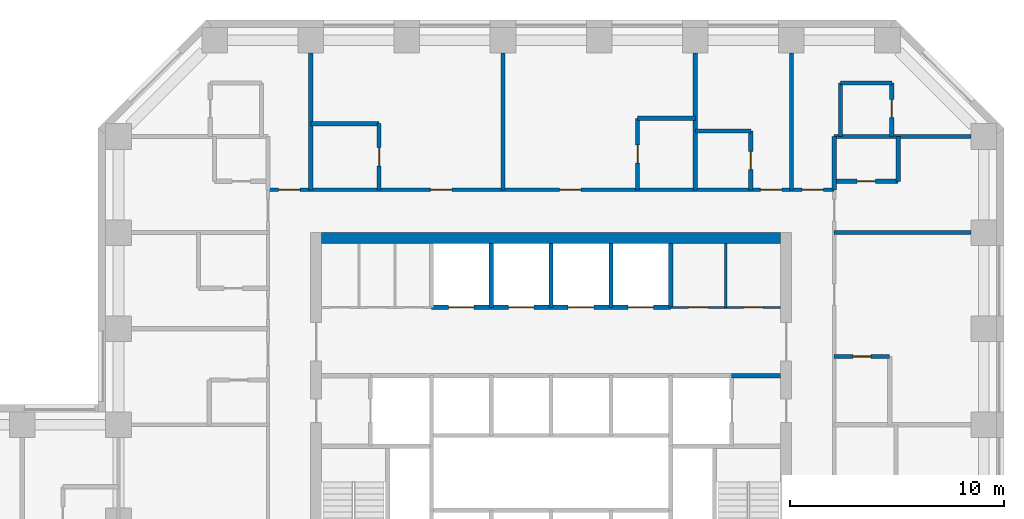
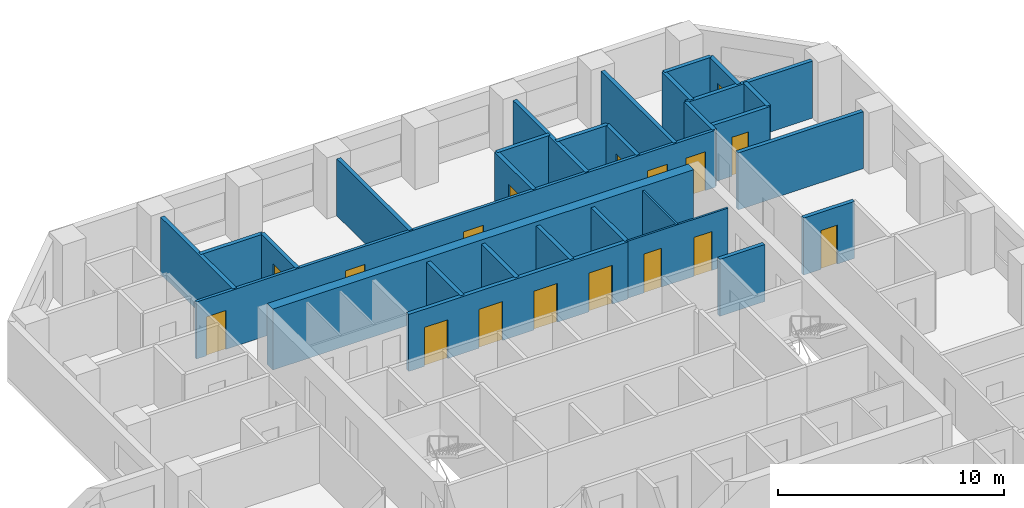
# One storey, part 9 of 12: 29 walls, 17 doors, 17 openings.
"""IFC4 building model written with IfcOpenShell, lengths in metres."""

import ifcopenshell
import ifcopenshell.guid

model = None  # the IFC model being written
_history = None  # IfcOwnerHistory: only IFC2X3 demands one
_inside = {}  # id of a spatial element -> (the spatial element, [elements in it])
_under = {}  # id of a project, library or spatial element -> (it, [spatial elements below it])
_declared = {}  # id of a project -> (the project, [libraries it declares])
_typed = {}  # id of a type object -> (the type object, [elements of that type])
_made_of = {}  # id of a material, layer set ... -> (it, [elements and type objects made of it])


def new_model(schema):
    """Start an empty IFC model of exactly this schema.

    Asked for "IFC4X3", IfcOpenShell would pick the latest addendum, in which some entities
    have other attributes; the version numbers below select the first issue.
    IFC2X3 requires an IfcOwnerHistory on every rooted entity: one is made here for all.
    """
    global model, _history
    if schema == "IFC4X3":
        model = ifcopenshell.file(schema_version=(4, 3, 0, 0))
    else:
        model = ifcopenshell.file(schema=schema)
    _inside.clear()
    _under.clear()
    _declared.clear()
    _typed.clear()
    _made_of.clear()
    _history = None
    if model.schema == "IFC2X3":
        org = make("IfcOrganization", Name="unknown")
        user = make(
            "IfcPersonAndOrganization",
            ThePerson=make("IfcPerson", FamilyName="unknown"),
            TheOrganization=org,
        )
        app = make(
            "IfcApplication",
            ApplicationDeveloper=org,
            Version="unknown",
            ApplicationFullName="unknown",
            ApplicationIdentifier="unknown",
        )
        _history = make(
            "IfcOwnerHistory",
            OwningUser=user,
            OwningApplication=app,
            ChangeAction="ADDED",
            CreationDate=0,
        )
    return model


def make(cls, **values):
    """One entity of the class cls with the attributes given. An attribute that is None is left unset."""
    return model.create_entity(
        cls, **{name: value for name, value in values.items() if value is not None}
    )


def rooted(cls, **values):
    """An entity with a GlobalId (a new one), such as an element, a storey or a relation."""
    return make(cls, GlobalId=ifcopenshell.guid.new(), OwnerHistory=_history, **values)


def si_unit(unit_type, name, prefix=None):
    """IfcSIUnit, for example si_unit("LENGTHUNIT", "METRE", prefix="MILLI")."""
    return make("IfcSIUnit", UnitType=unit_type, Prefix=prefix, Name=name)


def assignment(units):
    """IfcUnitAssignment: the units of a project."""
    return None if units is None else make("IfcUnitAssignment", Units=units)


def point(xyz):
    """IfcCartesianPoint."""
    return None if xyz is None else make("IfcCartesianPoint", Coordinates=xyz)


def direction(xyz):
    """IfcDirection."""
    return None if xyz is None else make("IfcDirection", DirectionRatios=xyz)


def frame(location, z_axis=None, x_axis=None):
    """IfcAxis2Placement3D, a coordinate frame: its origin and axes. An axis left out is left unset."""
    return make(
        "IfcAxis2Placement3D",
        Location=point(location),
        Axis=direction(z_axis),
        RefDirection=direction(x_axis),
    )


def frame_2d(location, x_axis=None):
    """IfcAxis2Placement2D, a coordinate frame in the plane: its origin and x axis."""
    return make(
        "IfcAxis2Placement2D", Location=point(location), RefDirection=direction(x_axis)
    )


def origin():
    """The frame at (0, 0, 0) with its axes left unset."""
    return frame((0.0, 0.0, 0.0))


def place(relative_to, where):
    """IfcLocalPlacement: puts the frame where relative to a parent placement (None: the world)."""
    return make(
        "IfcLocalPlacement", PlacementRelTo=relative_to, RelativePlacement=where
    )


def context(
    kind, dimensions, precision=None, world=None, true_north=None, identifier=None
):
    """IfcGeometricRepresentationContext, for example the 3D "Model" context."""
    return make(
        "IfcGeometricRepresentationContext",
        ContextIdentifier=identifier,
        ContextType=kind,
        CoordinateSpaceDimension=dimensions,
        Precision=precision,
        WorldCoordinateSystem=world,
        TrueNorth=true_north,
    )


def subcontext(parent, identifier, kind, view, scale=None):
    """IfcGeometricRepresentationSubContext, for example "Body" below "Model"."""
    return make(
        "IfcGeometricRepresentationSubContext",
        ContextIdentifier=identifier,
        ContextType=kind,
        ParentContext=parent,
        TargetScale=scale,
        TargetView=view,
    )


def project(units=None, contexts=None):
    """IfcProject with its units and contexts."""
    return rooted(
        "IfcProject",
        Name="project",
        RepresentationContexts=contexts,
        UnitsInContext=assignment(units),
    )


def spatial(cls, under=None, at=None, **own):
    """A site, building, storey or space (cls), placed at a placement, below another one or the project."""
    s = rooted(cls, ObjectPlacement=at, **own)
    if under is not None:
        _under.setdefault(under.id(), (under, []))[1].append(s)
    return s


def profile(cls, at=None, kind="AREA", **sizes):
    """A parametric profile (cls). Its sizes go by their IFC names, for example OverallWidth=200.0."""
    return make(cls, ProfileType=kind, Position=at, **sizes)


def rectangle(**sizes):
    """IfcRectangleProfileDef."""
    return profile("IfcRectangleProfileDef", **sizes)


def extrude(swept, where, along, depth):
    """IfcExtrudedAreaSolid: the profile swept, set in the frame where, extruded along a direction by depth."""
    return make(
        "IfcExtrudedAreaSolid",
        SweptArea=swept,
        Position=where,
        ExtrudedDirection=direction(along),
        Depth=depth,
    )


def shape(context_of_items, identifier, shape_type, items):
    """IfcShapeRepresentation: the items that make up one representation, for example the "Body"."""
    return make(
        "IfcShapeRepresentation",
        ContextOfItems=context_of_items,
        RepresentationIdentifier=identifier,
        RepresentationType=shape_type,
        Items=items,
    )


def material(Name=None, Category=None):
    """IfcMaterial."""
    return make("IfcMaterial", Name=Name, Category=Category)


def layer(
    of_material, thickness, ventilated=None, Name=None, Category=None, Priority=None
):
    """IfcMaterialLayer: one layer of a wall or slab, of a material (None: an air gap)."""
    return make(
        "IfcMaterialLayer",
        Material=of_material,
        LayerThickness=thickness,
        IsVentilated=ventilated,
        Name=Name,
        Category=Category,
        Priority=Priority,
    )


def layer_set(layers, Name=None):
    """IfcMaterialLayerSet."""
    return make("IfcMaterialLayerSet", MaterialLayers=layers, LayerSetName=Name)


def made_of(thing, what):
    """Note that an element or type object is made of a material, layer set ...; save() writes the relation."""
    if what is not None:
        _made_of.setdefault(what.id(), (what, []))[1].append(thing)
    return thing


def type_object(cls, material=None, **own):
    """A type object (cls), such as IfcWallType, which elements share."""
    return made_of(rooted(cls, **own), material)


def element(
    cls,
    number,
    at=None,
    inside=None,
    cuts=None,
    type_object=None,
    material=None,
    context=None,
    identifier="Body",
    shape_type=None,
    held_by="IfcProductDefinitionShape",
    body=None,
    shapes=None,
    **own,
):
    """One element of the class cls, such as IfcWall. Its Tag is "e" and its number.

    at: its placement. inside: the storey or other place that contains it. cuts: it is an
    opening in that element (IfcRelVoidsElement). A single representation is given by context,
    identifier, shape_type and body (its items); several are given by shapes. held_by: the class
    of the entity that holds the representations. save() writes the other relations.
    """
    e = rooted(cls, Tag="e%d" % number, ObjectPlacement=at, **own)
    if body is not None:
        shapes = [shape(context, identifier, shape_type, body)]
    if shapes is not None:
        e.Representation = make(held_by, Representations=shapes)
    if inside is not None:
        _inside.setdefault(inside.id(), (inside, []))[1].append(e)
    if cuts is not None:
        rooted(
            "IfcRelVoidsElement", RelatingBuildingElement=cuts, RelatedOpeningElement=e
        )
    if type_object is not None:
        _typed.setdefault(type_object.id(), (type_object, []))[1].append(e)
    return made_of(e, material)


def fill(opening, filler):
    """IfcRelFillsElement: the door or window that sits in an opening."""
    return rooted(
        "IfcRelFillsElement",
        RelatingOpeningElement=opening,
        RelatedBuildingElement=filler,
    )


def aggregate(whole, parts):
    """IfcRelAggregates: a whole, such as a stair, and the parts it consists of."""
    return rooted("IfcRelAggregates", RelatingObject=whole, RelatedObjects=parts)


def save(model, path):
    """Write the relations noted so far, then the file.

    IfcRelAggregates (storeys below a building ...), IfcRelContainedInSpatialStructure (elements
    in a storey), IfcRelDefinesByType, IfcRelAssociatesMaterial and IfcRelDeclares: one each for
    every whole, place, type object, material and project.
    """
    for whole, parts in _under.values():
        aggregate(whole, parts)
    for where, things in _inside.values():
        rooted(
            "IfcRelContainedInSpatialStructure",
            RelatedElements=things,
            RelatingStructure=where,
        )
    for kind, things in _typed.values():
        rooted("IfcRelDefinesByType", RelatedObjects=things, RelatingType=kind)
    for what, things in _made_of.values():
        rooted("IfcRelAssociatesMaterial", RelatedObjects=things, RelatingMaterial=what)
    for by, libraries in _declared.values():
        rooted("IfcRelDeclares", RelatingContext=by, RelatedDefinitions=libraries)
    model.write(path)


model = new_model("IFC4")

# Units and contexts
model_context = context("Model", 3, precision=1e-05, world=origin(), true_north=direction((0.0, 1.0)))
body_context = subcontext(model_context, "Body", "Model", "MODEL_VIEW")
ifc_project = project(units=[si_unit("LENGTHUNIT", "METRE"), si_unit("AREAUNIT", "SQUARE_METRE"), si_unit("VOLUMEUNIT", "CUBIC_METRE"), si_unit("PLANEANGLEUNIT", "RADIAN"), si_unit("MASSUNIT", "GRAM", prefix="KILO")], contexts=[model_context])

# Site, building, storey
site_placement = place(None, origin())
site = spatial("IfcSite", under=ifc_project, at=site_placement, CompositionType="ELEMENT")
building_placement = place(site_placement, origin())
building = spatial("IfcBuilding", under=site, at=building_placement, Name="Quoin Convention Tower", CompositionType="ELEMENT")
storey_placement = place(building_placement, frame((0.0, 0.0, 42.89990234375)))
storey = spatial("IfcBuildingStorey", under=building, at=storey_placement, Name="L10", CompositionType="ELEMENT", Elevation=42.89990234375)

# Wall, openings, doors
ifc_material_1 = material(Name="Plasterboard")
ifc_layer_1 = layer(ifc_material_1, 0.012451171875, Name="Finish")
ifc_material_2 = material(Name="Steel stud framing", Category="steel")
ifc_layer_2 = layer(ifc_material_2, 0.074951171875, Name="Structure")
ifc_layer_3 = layer(ifc_material_1, 0.012451171875, Name="Finish")
ifc_layer_set_1 = layer_set([ifc_layer_1, ifc_layer_2, ifc_layer_3], Name="Steel stud framing")
wall_type_1 = type_object("IfcWallType", Name="Core partition wall", PredefinedType="PARTITIONING", material=ifc_layer_set_1)
wall_1_placement = place(storey_placement, frame((61.85009765625, 68.5, 0.0), z_axis=(0.0, 0.0, 1.0), x_axis=(1.0, 0.0, 0.0)))
wall_1 = element("IfcWall", 1, at=wall_1_placement, inside=storey, type_object=wall_type_1, Name="cr-C1-L10-h19000_16850", PredefinedType="PARTITIONING", context=body_context, shape_type="SweptSolid", body=[
    extrude(rectangle(XDim=5.14990234375, YDim=0.10009765625, at=frame_2d((2.574951171875, 0.0))), origin(), (0.0, 0.0, 1.0), 3.080078125),
])
opening_1_placement = place(wall_1_placement, frame((3.41259765625, 0.0, 0.0)))
opening_1 = element("IfcOpeningElement", 2, at=opening_1_placement, cuts=wall_1, Name="Opening DCV4-03", PredefinedType="OPENING", context=body_context, shape_type="SweptSolid", body=[
    extrude(rectangle(XDim=0.89990234375, YDim=2.10009765625, at=frame_2d((0.449951171875, 1.050048828125))), frame((0.0, 0.06005859375, 0.0), z_axis=(0.0, -1.0, 0.0), x_axis=(1.0, 0.0, 0.0)), (0.0, 0.0, 1.0), 0.1201171875),
])
opening_2_placement = place(wall_1_placement, frame((0.83740234375, 0.0, 0.0)))
opening_2 = element("IfcOpeningElement", 3, at=opening_2_placement, cuts=wall_1, Name="Opening DCV4-01", PredefinedType="OPENING", context=body_context, shape_type="SweptSolid", body=[
    extrude(rectangle(XDim=0.89990234375, YDim=2.10009765625, at=frame_2d((0.449951171875, 1.050048828125))), frame((0.0, 0.06005859375, 0.0), z_axis=(0.0, -1.0, 0.0), x_axis=(1.0, 0.0, 0.0)), (0.0, 0.0, 1.0), 0.1201171875),
])
ifc_material_3 = material(Name="Steel door leaf", Category="steel")
door_type_1 = type_object("IfcDoorType", Name="Core room door 900 x 2100", OperationType="SINGLE_SWING_LEFT", PredefinedType="DOOR", material=ifc_material_3)
door_1_placement = place(opening_1_placement, origin())
door_1 = element("IfcDoor", 4, at=door_1_placement, inside=storey, type_object=door_type_1, Name="cd-C1-L10-CNE0-lobB-CD1007", OperationType="SINGLE_SWING_RIGHT", OverallHeight=2.10009765625, OverallWidth=0.89990234375, PredefinedType="DOOR", context=body_context, shape_type="SweptSolid", body=[
    extrude(rectangle(XDim=0.89990234375, YDim=2.10009765625, at=frame_2d((0.449951171875, 1.050048828125))), frame((0.0, 0.02490234375, 0.0), z_axis=(0.0, -1.0, 0.0), x_axis=(1.0, 0.0, 0.0)), (0.0, 0.0, 1.0), 0.050048828125),
])
fill(opening_1, door_1)
door_2_placement = place(opening_2_placement, origin())
door_2 = element("IfcDoor", 5, at=door_2_placement, inside=storey, type_object=door_type_1, Name="cd-C1-L10-CNE1-lobB-CD1008", OperationType="SINGLE_SWING_RIGHT", OverallHeight=2.10009765625, OverallWidth=0.89990234375, PredefinedType="DOOR", context=body_context, shape_type="SweptSolid", body=[
    extrude(rectangle(XDim=0.89990234375, YDim=2.10009765625, at=frame_2d((0.449951171875, 1.050048828125))), frame((0.0, 0.02490234375, 0.0), z_axis=(0.0, -1.0, 0.0), x_axis=(1.0, 0.0, 0.0)), (0.0, 0.0, 1.0), 0.050048828125),
])
fill(opening_2, door_2)

# Walls
wall_2_placement = place(storey_placement, frame((64.425048828125, 68.5, 0.0), z_axis=(0.0, 0.0, 1.0), x_axis=(0.0, 1.0, 0.0)))
element("IfcWall", 6, at=wall_2_placement, inside=storey, type_object=wall_type_1, Name="cr-C1-L10-v19425_19000", PredefinedType="PARTITIONING", context=body_context, shape_type="SweptSolid", body=[
    extrude(rectangle(XDim=3.0, YDim=0.10009765625, at=frame_2d((1.5, 0.0))), origin(), (0.0, 0.0, 1.0), 3.080078125),
])
ifc_material_4 = material(Name="Concrete C50", Category="concrete")
ifc_layer_4 = layer(ifc_material_4, 0.199951171875)
ifc_layer_set_2 = layer_set([ifc_layer_4], Name="Concrete C50")
wall_type_2 = type_object("IfcWallType", Name="Core shaft wall", PredefinedType="SOLIDWALL", material=ifc_layer_set_2)
wall_3_placement = place(storey_placement, frame((64.699951171875, 65.300048828125, 0.0), z_axis=(0.0, 0.0, 1.0), x_axis=(1.0, 0.0, 0.0)))
element("IfcWall", 7, at=wall_3_placement, inside=storey, type_object=wall_type_2, Name="cr-C1-L10-h15800_19700", PredefinedType="SOLIDWALL", context=body_context, shape_type="SweptSolid", body=[
    extrude(rectangle(XDim=2.300048828125, YDim=0.199951171875, at=frame_2d((1.14990234375, 0.0))), origin(), (0.0, 0.0, 1.0), 3.080078125),
])

# Wall, openings, doors
wall_4_placement = place(storey_placement, frame((50.64990234375, 68.5, 0.0), z_axis=(0.0, 0.0, 1.0), x_axis=(1.0, 0.0, 0.0)))
wall_4 = element("IfcWall", 8, at=wall_4_placement, inside=storey, type_object=wall_type_2, Name="cr-C1-L10-h19000_5650", PredefinedType="SOLIDWALL", context=body_context, shape_type="SweptSolid", body=[
    extrude(rectangle(XDim=11.2001953125, YDim=0.199951171875, at=frame_2d((5.60009765625, 0.0))), origin(), (0.0, 0.0, 1.0), 3.080078125),
])
opening_3_placement = place(wall_4_placement, frame((0.800048828125, 0.0, 0.0)))
opening_3 = element("IfcOpeningElement", 9, at=opening_3_placement, cuts=wall_4, Name="Opening LDL5", PredefinedType="OPENING", context=body_context, shape_type="SweptSolid", body=[
    extrude(rectangle(XDim=1.199951171875, YDim=2.10009765625, at=frame_2d((0.60009765625, 1.050048828125))), frame((0.0, 0.10986328125, 0.0), z_axis=(0.0, -1.0, 0.0), x_axis=(1.0, 0.0, 0.0)), (0.0, 0.0, 1.0), 0.219970703125),
])
opening_4_placement = place(wall_4_placement, frame((3.60009765625, 0.0, 0.0)))
opening_4 = element("IfcOpeningElement", 10, at=opening_4_placement, cuts=wall_4, Name="Opening LDL6", PredefinedType="OPENING", context=body_context, shape_type="SweptSolid", body=[
    extrude(rectangle(XDim=1.199951171875, YDim=2.10009765625, at=frame_2d((0.60009765625, 1.050048828125))), frame((0.0, 0.10986328125, 0.0), z_axis=(0.0, -1.0, 0.0), x_axis=(1.0, 0.0, 0.0)), (0.0, 0.0, 1.0), 0.219970703125),
])
opening_5_placement = place(wall_4_placement, frame((6.39990234375, 0.0, 0.0)))
opening_5 = element("IfcOpeningElement", 11, at=opening_5_placement, cuts=wall_4, Name="Opening LDL7", PredefinedType="OPENING", context=body_context, shape_type="SweptSolid", body=[
    extrude(rectangle(XDim=1.199951171875, YDim=2.10009765625, at=frame_2d((0.60009765625, 1.050048828125))), frame((0.0, 0.10986328125, 0.0), z_axis=(0.0, -1.0, 0.0), x_axis=(1.0, 0.0, 0.0)), (0.0, 0.0, 1.0), 0.219970703125),
])
opening_6_placement = place(wall_4_placement, frame((9.199951171875, 0.0, 0.0)))
opening_6 = element("IfcOpeningElement", 12, at=opening_6_placement, cuts=wall_4, Name="Opening LDL8", PredefinedType="OPENING", context=body_context, shape_type="SweptSolid", body=[
    extrude(rectangle(XDim=1.199951171875, YDim=2.10009765625, at=frame_2d((0.60009765625, 1.050048828125))), frame((0.0, 0.10986328125, 0.0), z_axis=(0.0, -1.0, 0.0), x_axis=(1.0, 0.0, 0.0)), (0.0, 0.0, 1.0), 0.219970703125),
])
door_type_2 = type_object("IfcDoorType", Name="Lift landing door 1200 x 2100", OperationType="DOUBLE_DOOR_SLIDING", PredefinedType="DOOR", material=ifc_material_3)
door_3_placement = place(opening_3_placement, origin())
door_3 = element("IfcDoor", 13, at=door_3_placement, inside=storey, type_object=door_type_2, Name="cd-C1-L10-R40-lobB-LDL5", OperationType="DOUBLE_DOOR_SLIDING", OverallHeight=2.10009765625, OverallWidth=1.199951171875, PredefinedType="DOOR", context=body_context, shape_type="SweptSolid", body=[
    extrude(rectangle(XDim=1.199951171875, YDim=2.10009765625, at=frame_2d((0.60009765625, 1.050048828125))), frame((0.0, 0.02490234375, 0.0), z_axis=(0.0, -1.0, 0.0), x_axis=(1.0, 0.0, 0.0)), (0.0, 0.0, 1.0), 0.050048828125),
])
fill(opening_3, door_3)
door_4_placement = place(opening_4_placement, origin())
door_4 = element("IfcDoor", 14, at=door_4_placement, inside=storey, type_object=door_type_2, Name="cd-C1-L10-R41-lobB-LDL6", OperationType="DOUBLE_DOOR_SLIDING", OverallHeight=2.10009765625, OverallWidth=1.199951171875, PredefinedType="DOOR", context=body_context, shape_type="SweptSolid", body=[
    extrude(rectangle(XDim=1.199951171875, YDim=2.10009765625, at=frame_2d((0.60009765625, 1.050048828125))), frame((0.0, 0.02490234375, 0.0), z_axis=(0.0, -1.0, 0.0), x_axis=(1.0, 0.0, 0.0)), (0.0, 0.0, 1.0), 0.050048828125),
])
fill(opening_4, door_4)
door_5_placement = place(opening_5_placement, origin())
door_5 = element("IfcDoor", 15, at=door_5_placement, inside=storey, type_object=door_type_2, Name="cd-C1-L10-R42-lobB-LDL7", OperationType="DOUBLE_DOOR_SLIDING", OverallHeight=2.10009765625, OverallWidth=1.199951171875, PredefinedType="DOOR", context=body_context, shape_type="SweptSolid", body=[
    extrude(rectangle(XDim=1.199951171875, YDim=2.10009765625, at=frame_2d((0.60009765625, 1.050048828125))), frame((0.0, 0.02490234375, 0.0), z_axis=(0.0, -1.0, 0.0), x_axis=(1.0, 0.0, 0.0)), (0.0, 0.0, 1.0), 0.050048828125),
])
fill(opening_5, door_5)
door_6_placement = place(opening_6_placement, origin())
door_6 = element("IfcDoor", 16, at=door_6_placement, inside=storey, type_object=door_type_2, Name="cd-C1-L10-R43-lobB-LDL8", OperationType="DOUBLE_DOOR_SLIDING", OverallHeight=2.10009765625, OverallWidth=1.199951171875, PredefinedType="DOOR", context=body_context, shape_type="SweptSolid", body=[
    extrude(rectangle(XDim=1.199951171875, YDim=2.10009765625, at=frame_2d((0.60009765625, 1.050048828125))), frame((0.0, 0.02490234375, 0.0), z_axis=(0.0, -1.0, 0.0), x_axis=(1.0, 0.0, 0.0)), (0.0, 0.0, 1.0), 0.050048828125),
])
fill(opening_6, door_6)

# Walls
for number, where, z_axis, x_axis, name in (
    (17, (53.449951171875, 68.5, 0.0), (0.0, 0.0, 1.0), (0.0, 1.0, 0.0), "cr-C1-L10-v8450_19000"),
    (18, (56.25, 68.5, 0.0), (0.0, 0.0, 1.0), (0.0, 1.0, 0.0), "cr-C1-L10-v11250_19000"),
    (19, (59.050048828125, 68.5, 0.0), (0.0, 0.0, 1.0), (0.0, 1.0, 0.0), "cr-C1-L10-v14050_19000"),
    (20, (61.85009765625, 68.5, 0.0), (0.0, 0.0, 1.0), (0.0, 1.0, 0.0), "cr-C1-L10-v16850_19000"),
):
    element("IfcWall", number, at=place(storey_placement, frame(where, z_axis=z_axis, x_axis=x_axis)), inside=storey, type_object=wall_type_2, Name=name, PredefinedType="SOLIDWALL", context=body_context, shape_type="SweptSolid", body=[
        extrude(rectangle(XDim=3.0, YDim=0.199951171875, at=frame_2d((1.5, 0.0))), origin(), (0.0, 0.0, 1.0), 3.080078125),
    ])
ifc_material_5 = material(Name="Concrete C80", Category="concrete")
ifc_layer_5 = layer(ifc_material_5, 0.5)
ifc_layer_set_3 = layer_set([ifc_layer_5], Name="Concrete C80")
wall_type_3 = type_object("IfcWallType", Name="RC CORE WALL 500 C80", PredefinedType="SHEAR", material=ifc_layer_set_3)
wall_5_placement = place(storey_placement, frame((45.5, 71.75, 0.0), z_axis=(0.0, 0.0, 1.0), x_axis=(1.0, 0.0, 0.0)))
element("IfcWall", 21, at=wall_5_placement, inside=storey, type_object=wall_type_3, Name="cwl-C1-L10-N", PredefinedType="SHEAR", context=body_context, shape_type="SweptSolid", body=[
    extrude(rectangle(XDim=21.5, YDim=0.5, at=frame_2d((10.75, 0.0))), origin(), (0.0, 0.0, 1.0), 3.300048828125),
])

# Wall, opening, door
ifc_layer_6 = layer(ifc_material_4, 0.199951171875)
ifc_layer_set_4 = layer_set([ifc_layer_6], Name="Concrete C50")
wall_type_4 = type_object("IfcWallType", Name="RC party wall", PredefinedType="SOLIDWALL", material=ifc_layer_set_4)
wall_6_placement = place(storey_placement, frame((69.5, 66.199951171875, 0.0), z_axis=(0.0, 0.0, 1.0), x_axis=(1.0, 0.0, 0.0)))
wall_6 = element("IfcWall", 22, at=wall_6_placement, inside=storey, type_object=wall_type_4, Name="pw-L10-116", PredefinedType="SOLIDWALL", context=body_context, shape_type="SweptSolid", body=[
    extrude(rectangle(XDim=2.60009765625, YDim=0.199951171875, at=frame_2d((1.300048828125, 0.0))), origin(), (0.0, 0.0, 1.0), 3.080078125),
])
opening_7_placement = place(wall_6_placement, frame((0.875, 0.0, 0.0)))
opening_7 = element("IfcOpeningElement", 23, at=opening_7_placement, cuts=wall_6, Name="Opening DHOTEL-F-58", PredefinedType="OPENING", context=body_context, shape_type="SweptSolid", body=[
    extrude(rectangle(XDim=0.85009765625, YDim=2.10009765625, at=frame_2d((0.425048828125, 1.050048828125))), frame((0.0, 0.10986328125, 0.0), z_axis=(0.0, -1.0, 0.0), x_axis=(1.0, 0.0, 0.0)), (0.0, 0.0, 1.0), 0.219970703125),
])
door_type_3 = type_object("IfcDoorType", Name="Bathroom door", OperationType="SINGLE_SWING_LEFT", PredefinedType="DOOR", material=ifc_material_3)
door_7_placement = place(opening_7_placement, origin())
door_7 = element("IfcDoor", 24, at=door_7_placement, inside=storey, type_object=door_type_3, Name="dr-L10-044", OperationType="SINGLE_SWING_LEFT", OverallHeight=2.10009765625, OverallWidth=0.85009765625, PredefinedType="DOOR", context=body_context, shape_type="SweptSolid", body=[
    extrude(rectangle(XDim=0.85009765625, YDim=2.10009765625, at=frame_2d((0.425048828125, 1.050048828125))), frame((0.0, 0.02490234375, 0.0), z_axis=(0.0, -1.0, 0.0), x_axis=(1.0, 0.0, 0.0)), (0.0, 0.0, 1.0), 0.050048828125),
])
fill(opening_7, door_7)

# Walls
for number, where, z_axis, x_axis, name in (
    (25, (69.5, 72.0, 0.0), (0.0, 0.0, 1.0), (1.0, 0.0, 0.0), "pw-L10-121"),
    (26, (45.0, 74.0, 0.0), (0.0, 0.0, 1.0), (0.0, 1.0, 0.0), "pw-L10-123"),
):
    element("IfcWall", number, at=place(storey_placement, frame(where, z_axis=z_axis, x_axis=x_axis)), inside=storey, type_object=wall_type_4, Name=name, PredefinedType="SOLIDWALL", context=body_context, shape_type="SweptSolid", body=[
        extrude(rectangle(XDim=6.39990234375, YDim=0.199951171875, at=frame_2d((3.199951171875, 0.0))), origin(), (0.0, 0.0, 1.0), 3.080078125),
    ])

# Wall, opening, door
wall_7_placement = place(storey_placement, frame((48.199951171875, 74.0, 0.0), z_axis=(0.0, 0.0, 1.0), x_axis=(0.0, 1.0, 0.0)))
wall_7 = element("IfcWall", 27, at=wall_7_placement, inside=storey, type_object=wall_type_4, Name="pw-L10-124", PredefinedType="SOLIDWALL", context=body_context, shape_type="SweptSolid", body=[
    extrude(rectangle(XDim=3.10009765625, YDim=0.199951171875, at=frame_2d((1.550048828125, 0.0))), origin(), (0.0, 0.0, 1.0), 3.080078125),
])
opening_8_placement = place(wall_7_placement, frame((1.125, 0.0, 0.0)))
opening_8 = element("IfcOpeningElement", 28, at=opening_8_placement, cuts=wall_7, Name="Opening DHOTEL-F-60", PredefinedType="OPENING", context=body_context, shape_type="SweptSolid", body=[
    extrude(rectangle(XDim=0.85009765625, YDim=2.10009765625, at=frame_2d((0.425048828125, 1.050048828125))), frame((0.0, 0.10986328125, 0.0), z_axis=(0.0, -1.0, 0.0), x_axis=(1.0, 0.0, 0.0)), (0.0, 0.0, 1.0), 0.219970703125),
])
door_8_placement = place(opening_8_placement, frame((0.85009765625, 0.0, 0.0), z_axis=(0.0, 0.0, 1.0), x_axis=(-1.0, 0.0, 0.0)))
door_8 = element("IfcDoor", 29, at=door_8_placement, inside=storey, type_object=door_type_3, Name="dr-L10-036", OperationType="SINGLE_SWING_RIGHT", OverallHeight=2.10009765625, OverallWidth=0.85009765625, PredefinedType="DOOR", context=body_context, shape_type="SweptSolid", body=[
    extrude(rectangle(XDim=0.85009765625, YDim=2.10009765625, at=frame_2d((0.425048828125, 1.050048828125))), frame((0.0, 0.02490234375, 0.0), z_axis=(0.0, -1.0, 0.0), x_axis=(1.0, 0.0, 0.0)), (0.0, 0.0, 1.0), 0.050048828125),
])
fill(opening_8, door_8)

# Wall
wall_8_placement = place(storey_placement, frame((54.0, 74.0, 0.0), z_axis=(0.0, 0.0, 1.0), x_axis=(0.0, 1.0, 0.0)))
element("IfcWall", 30, at=wall_8_placement, inside=storey, type_object=wall_type_4, Name="pw-L10-125", PredefinedType="SOLIDWALL", context=body_context, shape_type="SweptSolid", body=[
    extrude(rectangle(XDim=6.39990234375, YDim=0.199951171875, at=frame_2d((3.199951171875, 0.0))), origin(), (0.0, 0.0, 1.0), 3.080078125),
])

# Wall, opening, door
wall_9_placement = place(storey_placement, frame((60.300048828125, 74.0, 0.0), z_axis=(0.0, 0.0, 1.0), x_axis=(0.0, 1.0, 0.0)))
wall_9 = element("IfcWall", 31, at=wall_9_placement, inside=storey, type_object=wall_type_4, Name="pw-L10-126", PredefinedType="SOLIDWALL", context=body_context, shape_type="SweptSolid", body=[
    extrude(rectangle(XDim=3.35009765625, YDim=0.199951171875, at=frame_2d((1.675048828125, 0.0))), origin(), (0.0, 0.0, 1.0), 3.080078125),
])
opening_9_placement = place(wall_9_placement, frame((1.25, 0.0, 0.0)))
opening_9 = element("IfcOpeningElement", 32, at=opening_9_placement, cuts=wall_9, Name="Opening DHOTEL-F-61", PredefinedType="OPENING", context=body_context, shape_type="SweptSolid", body=[
    extrude(rectangle(XDim=0.85009765625, YDim=2.10009765625, at=frame_2d((0.425048828125, 1.050048828125))), frame((0.0, 0.10986328125, 0.0), z_axis=(0.0, -1.0, 0.0), x_axis=(1.0, 0.0, 0.0)), (0.0, 0.0, 1.0), 0.219970703125),
])
door_9_placement = place(opening_9_placement, origin())
door_9 = element("IfcDoor", 33, at=door_9_placement, inside=storey, type_object=door_type_3, Name="dr-L10-038", OperationType="SINGLE_SWING_LEFT", OverallHeight=2.10009765625, OverallWidth=0.85009765625, PredefinedType="DOOR", context=body_context, shape_type="SweptSolid", body=[
    extrude(rectangle(XDim=0.85009765625, YDim=2.10009765625, at=frame_2d((0.425048828125, 1.050048828125))), frame((0.0, 0.02490234375, 0.0), z_axis=(0.0, -1.0, 0.0), x_axis=(1.0, 0.0, 0.0)), (0.0, 0.0, 1.0), 0.050048828125),
])
fill(opening_9, door_9)

# Wall
wall_10_placement = place(storey_placement, frame((63.0, 74.0, 0.0), z_axis=(0.0, 0.0, 1.0), x_axis=(0.0, 1.0, 0.0)))
element("IfcWall", 34, at=wall_10_placement, inside=storey, type_object=wall_type_4, Name="pw-L10-127", PredefinedType="SOLIDWALL", context=body_context, shape_type="SweptSolid", body=[
    extrude(rectangle(XDim=6.39990234375, YDim=0.199951171875, at=frame_2d((3.199951171875, 0.0))), origin(), (0.0, 0.0, 1.0), 3.080078125),
])

# Wall, opening, door
wall_11_placement = place(storey_placement, frame((65.60009765625, 74.0, 0.0), z_axis=(0.0, 0.0, 1.0), x_axis=(0.0, 1.0, 0.0)))
wall_11 = element("IfcWall", 35, at=wall_11_placement, inside=storey, type_object=wall_type_4, Name="pw-L10-128", PredefinedType="SOLIDWALL", context=body_context, shape_type="SweptSolid", body=[
    extrude(rectangle(XDim=2.75, YDim=0.199951171875, at=frame_2d((1.375, 0.0))), origin(), (0.0, 0.0, 1.0), 3.080078125),
])
opening_10_placement = place(wall_11_placement, frame((0.949951171875, 0.0, 0.0)))
opening_10 = element("IfcOpeningElement", 36, at=opening_10_placement, cuts=wall_11, Name="Opening DHOTEL-F-62", PredefinedType="OPENING", context=body_context, shape_type="SweptSolid", body=[
    extrude(rectangle(XDim=0.85009765625, YDim=2.10009765625, at=frame_2d((0.425048828125, 1.050048828125))), frame((0.0, 0.10986328125, 0.0), z_axis=(0.0, -1.0, 0.0), x_axis=(1.0, 0.0, 0.0)), (0.0, 0.0, 1.0), 0.219970703125),
])
door_10_placement = place(opening_10_placement, frame((0.85009765625, 0.0, 0.0), z_axis=(0.0, 0.0, 1.0), x_axis=(-1.0, 0.0, 0.0)))
door_10 = element("IfcDoor", 37, at=door_10_placement, inside=storey, type_object=door_type_3, Name="dr-L10-040", OperationType="SINGLE_SWING_RIGHT", OverallHeight=2.10009765625, OverallWidth=0.85009765625, PredefinedType="DOOR", context=body_context, shape_type="SweptSolid", body=[
    extrude(rectangle(XDim=0.85009765625, YDim=2.10009765625, at=frame_2d((0.425048828125, 1.050048828125))), frame((0.0, 0.02490234375, 0.0), z_axis=(0.0, -1.0, 0.0), x_axis=(1.0, 0.0, 0.0)), (0.0, 0.0, 1.0), 0.050048828125),
])
fill(opening_10, door_10)

# Walls
wall_12_placement = place(storey_placement, frame((67.5, 74.0, 0.0), z_axis=(0.0, 0.0, 1.0), x_axis=(0.0, 1.0, 0.0)))
element("IfcWall", 38, at=wall_12_placement, inside=storey, type_object=wall_type_4, Name="pw-L10-129", PredefinedType="SOLIDWALL", context=body_context, shape_type="SweptSolid", body=[
    extrude(rectangle(XDim=6.39990234375, YDim=0.199951171875, at=frame_2d((3.199951171875, 0.0))), origin(), (0.0, 0.0, 1.0), 3.080078125),
])
wall_13_placement = place(storey_placement, frame((69.5, 74.0, 0.0), z_axis=(0.0, 0.0, 1.0), x_axis=(0.0, 1.0, 0.0)))
element("IfcWall", 39, at=wall_13_placement, inside=storey, type_object=wall_type_4, Name="pw-L10-130", PredefinedType="SOLIDWALL", context=body_context, shape_type="SweptSolid", body=[
    extrude(rectangle(XDim=2.5, YDim=0.199951171875, at=frame_2d((1.25, 0.0))), origin(), (0.0, 0.0, 1.0), 3.080078125),
])

# Wall, opening, door
wall_14_placement = place(storey_placement, frame((69.5, 74.39990234375, 0.0), z_axis=(0.0, 0.0, 1.0), x_axis=(1.0, 0.0, 0.0)))
wall_14 = element("IfcWall", 40, at=wall_14_placement, inside=storey, type_object=wall_type_4, Name="pw-L10-133", PredefinedType="SOLIDWALL", context=body_context, shape_type="SweptSolid", body=[
    extrude(rectangle(XDim=3.0, YDim=0.199951171875, at=frame_2d((1.5, 0.0))), origin(), (0.0, 0.0, 1.0), 3.080078125),
])
opening_11_placement = place(wall_14_placement, frame((1.074951171875, 0.0, 0.0)))
opening_11 = element("IfcOpeningElement", 41, at=opening_11_placement, cuts=wall_14, Name="Opening DHOTEL-F-64", PredefinedType="OPENING", context=body_context, shape_type="SweptSolid", body=[
    extrude(rectangle(XDim=0.85009765625, YDim=2.10009765625, at=frame_2d((0.425048828125, 1.050048828125))), frame((0.0, 0.10986328125, 0.0), z_axis=(0.0, -1.0, 0.0), x_axis=(1.0, 0.0, 0.0)), (0.0, 0.0, 1.0), 0.219970703125),
])
door_11_placement = place(opening_11_placement, frame((0.85009765625, 0.0, 0.0), z_axis=(0.0, 0.0, 1.0), x_axis=(-1.0, 0.0, 0.0)))
door_11 = element("IfcDoor", 42, at=door_11_placement, inside=storey, type_object=door_type_3, Name="dr-L10-042", OperationType="SINGLE_SWING_RIGHT", OverallHeight=2.10009765625, OverallWidth=0.85009765625, PredefinedType="DOOR", context=body_context, shape_type="SweptSolid", body=[
    extrude(rectangle(XDim=0.85009765625, YDim=2.10009765625, at=frame_2d((0.425048828125, 1.050048828125))), frame((0.0, 0.02490234375, 0.0), z_axis=(0.0, -1.0, 0.0), x_axis=(1.0, 0.0, 0.0)), (0.0, 0.0, 1.0), 0.050048828125),
])
fill(opening_11, door_11)

# Walls
wall_15_placement = place(storey_placement, frame((72.5, 74.39990234375, 0.0), z_axis=(0.0, 0.0, 1.0), x_axis=(0.0, 1.0, 0.0)))
element("IfcWall", 43, at=wall_15_placement, inside=storey, type_object=wall_type_4, Name="pw-L10-134", PredefinedType="SOLIDWALL", context=body_context, shape_type="SweptSolid", body=[
    extrude(rectangle(XDim=2.10009765625, YDim=0.199951171875, at=frame_2d((1.050048828125, 0.0))), origin(), (0.0, 0.0, 1.0), 3.080078125),
])
wall_16_placement = place(storey_placement, frame((69.5, 76.5, 0.0), z_axis=(0.0, 0.0, 1.0), x_axis=(1.0, 0.0, 0.0)))
element("IfcWall", 44, at=wall_16_placement, inside=storey, type_object=wall_type_4, Name="pw-L10-138", PredefinedType="SOLIDWALL", context=body_context, shape_type="SweptSolid", body=[
    extrude(rectangle(XDim=6.39990234375, YDim=0.199951171875, at=frame_2d((3.199951171875, 0.0))), origin(), (0.0, 0.0, 1.0), 3.080078125),
])
wall_17_placement = place(storey_placement, frame((69.800048828125, 76.5, 0.0), z_axis=(0.0, 0.0, 1.0), x_axis=(0.0, 1.0, 0.0)))
element("IfcWall", 45, at=wall_17_placement, inside=storey, type_object=wall_type_4, Name="pw-L10-139", PredefinedType="SOLIDWALL", context=body_context, shape_type="SweptSolid", body=[
    extrude(rectangle(XDim=2.5, YDim=0.199951171875, at=frame_2d((1.25, 0.0))), origin(), (0.0, 0.0, 1.0), 3.080078125),
])

# Wall, opening, door
wall_18_placement = place(storey_placement, frame((72.199951171875, 76.5, 0.0), z_axis=(0.0, 0.0, 1.0), x_axis=(0.0, 1.0, 0.0)))
wall_18 = element("IfcWall", 46, at=wall_18_placement, inside=storey, type_object=wall_type_4, Name="pw-L10-140", PredefinedType="SOLIDWALL", context=body_context, shape_type="SweptSolid", body=[
    extrude(rectangle(XDim=2.5, YDim=0.199951171875, at=frame_2d((1.25, 0.0))), origin(), (0.0, 0.0, 1.0), 3.080078125),
])
opening_12_placement = place(wall_18_placement, frame((0.875, 0.0, 0.0)))
opening_12 = element("IfcOpeningElement", 47, at=opening_12_placement, cuts=wall_18, Name="Opening DHOTEL-F-66", PredefinedType="OPENING", context=body_context, shape_type="SweptSolid", body=[
    extrude(rectangle(XDim=0.85009765625, YDim=2.10009765625, at=frame_2d((0.425048828125, 1.050048828125))), frame((0.0, 0.10986328125, 0.0), z_axis=(0.0, -1.0, 0.0), x_axis=(1.0, 0.0, 0.0)), (0.0, 0.0, 1.0), 0.219970703125),
])
door_12_placement = place(opening_12_placement, frame((0.85009765625, 0.0, 0.0), z_axis=(0.0, 0.0, 1.0), x_axis=(-1.0, 0.0, 0.0)))
door_12 = element("IfcDoor", 48, at=door_12_placement, inside=storey, type_object=door_type_3, Name="dr-L10-064", OperationType="SINGLE_SWING_LEFT", OverallHeight=2.10009765625, OverallWidth=0.85009765625, PredefinedType="DOOR", context=body_context, shape_type="SweptSolid", body=[
    extrude(rectangle(XDim=0.85009765625, YDim=2.10009765625, at=frame_2d((0.425048828125, 1.050048828125))), frame((0.0, 0.02490234375, 0.0), z_axis=(0.0, -1.0, 0.0), x_axis=(1.0, 0.0, 0.0)), (0.0, 0.0, 1.0), 0.050048828125),
])
fill(opening_12, door_12)

# Walls
wall_19_placement = place(storey_placement, frame((63.0, 76.75, 0.0), z_axis=(0.0, 0.0, 1.0), x_axis=(1.0, 0.0, 0.0)))
element("IfcWall", 49, at=wall_19_placement, inside=storey, type_object=wall_type_4, Name="pw-L10-141", PredefinedType="SOLIDWALL", context=body_context, shape_type="SweptSolid", body=[
    extrude(rectangle(XDim=2.60009765625, YDim=0.199951171875, at=frame_2d((1.300048828125, 0.0))), origin(), (0.0, 0.0, 1.0), 3.080078125),
])
wall_20_placement = place(storey_placement, frame((45.0, 77.10009765625, 0.0), z_axis=(0.0, 0.0, 1.0), x_axis=(1.0, 0.0, 0.0)))
element("IfcWall", 50, at=wall_20_placement, inside=storey, type_object=wall_type_4, Name="pw-L10-142", PredefinedType="SOLIDWALL", context=body_context, shape_type="SweptSolid", body=[
    extrude(rectangle(XDim=3.199951171875, YDim=0.199951171875, at=frame_2d((1.60009765625, 0.0))), origin(), (0.0, 0.0, 1.0), 3.080078125),
])
wall_21_placement = place(storey_placement, frame((60.300048828125, 77.35009765625, 0.0), z_axis=(0.0, 0.0, 1.0), x_axis=(1.0, 0.0, 0.0)))
element("IfcWall", 51, at=wall_21_placement, inside=storey, type_object=wall_type_4, Name="pw-L10-143", PredefinedType="SOLIDWALL", context=body_context, shape_type="SweptSolid", body=[
    extrude(rectangle(XDim=2.699951171875, YDim=0.199951171875, at=frame_2d((1.35009765625, 0.0))), origin(), (0.0, 0.0, 1.0), 3.080078125),
])
wall_22_placement = place(storey_placement, frame((69.800048828125, 79.0, 0.0), z_axis=(0.0, 0.0, 1.0), x_axis=(1.0, 0.0, 0.0)))
element("IfcWall", 52, at=wall_22_placement, inside=storey, type_object=wall_type_4, Name="pw-L10-145", PredefinedType="SOLIDWALL", context=body_context, shape_type="SweptSolid", body=[
    extrude(rectangle(XDim=2.39990234375, YDim=0.199951171875, at=frame_2d((1.199951171875, 0.0))), origin(), (0.0, 0.0, 1.0), 3.080078125),
])

# Wall, openings, doors
ifc_layer_7 = layer(ifc_material_1, 0.012451171875, Name="Finish")
ifc_layer_8 = layer(ifc_material_2, 0.125, Name="Structure")
ifc_layer_9 = layer(ifc_material_1, 0.012451171875, Name="Finish")
ifc_layer_set_5 = layer_set([ifc_layer_7, ifc_layer_8, ifc_layer_9], Name="Steel stud framing")
wall_type_5 = type_object("IfcWallType", Name="corridor partition", PredefinedType="PARTITIONING", material=ifc_layer_set_5)
wall_23_placement = place(storey_placement, frame((43.0, 74.0, 0.0), z_axis=(0.0, 0.0, 1.0), x_axis=(1.0, 0.0, 0.0)))
wall_23 = element("IfcWall", 53, at=wall_23_placement, inside=storey, type_object=wall_type_5, Name="pw-L10-036", PredefinedType="PARTITIONING", context=body_context, shape_type="SweptSolid", body=[
    extrude(rectangle(XDim=26.5, YDim=0.14990234375, at=frame_2d((13.25, 0.0))), origin(), (0.0, 0.0, 1.0), 3.080078125),
])
opening_13_placement = place(wall_23_placement, frame((7.60009765625, 0.0, 0.0)))
opening_13 = element("IfcOpeningElement", 54, at=opening_13_placement, cuts=wall_23, Name="Opening DHOTEL-F-35", PredefinedType="OPENING", context=body_context, shape_type="SweptSolid", body=[
    extrude(rectangle(XDim=1.0, YDim=2.10009765625, at=frame_2d((0.5, 1.050048828125))), frame((0.0, 0.0849609375, 0.0), z_axis=(0.0, -1.0, 0.0), x_axis=(1.0, 0.0, 0.0)), (0.0, 0.0, 1.0), 0.169921875),
])
opening_14_placement = place(wall_23_placement, frame((13.64990234375, 0.0, 0.0)))
opening_14 = element("IfcOpeningElement", 55, at=opening_14_placement, cuts=wall_23, Name="Opening DHOTEL-F-36", PredefinedType="OPENING", context=body_context, shape_type="SweptSolid", body=[
    extrude(rectangle(XDim=1.0, YDim=2.10009765625, at=frame_2d((0.5, 1.050048828125))), frame((0.0, 0.0849609375, 0.0), z_axis=(0.0, -1.0, 0.0), x_axis=(1.0, 0.0, 0.0)), (0.0, 0.0, 1.0), 0.169921875),
])
opening_15_placement = place(wall_23_placement, frame((23.050048828125, 0.0, 0.0)))
opening_15 = element("IfcOpeningElement", 56, at=opening_15_placement, cuts=wall_23, Name="Opening DHOTEL-F-37", PredefinedType="OPENING", context=body_context, shape_type="SweptSolid", body=[
    extrude(rectangle(XDim=1.0, YDim=2.10009765625, at=frame_2d((0.5, 1.050048828125))), frame((0.0, 0.0849609375, 0.0), z_axis=(0.0, -1.0, 0.0), x_axis=(1.0, 0.0, 0.0)), (0.0, 0.0, 1.0), 0.169921875),
])
opening_16_placement = place(wall_23_placement, frame((0.5, 0.0, 0.0)))
opening_16 = element("IfcOpeningElement", 57, at=opening_16_placement, cuts=wall_23, Name="Opening DHOTEL-F-34", PredefinedType="OPENING", context=body_context, shape_type="SweptSolid", body=[
    extrude(rectangle(XDim=1.0, YDim=2.10009765625, at=frame_2d((0.5, 1.050048828125))), frame((0.0, 0.0849609375, 0.0), z_axis=(0.0, -1.0, 0.0), x_axis=(1.0, 0.0, 0.0)), (0.0, 0.0, 1.0), 0.169921875),
])
opening_17_placement = place(wall_23_placement, frame((25.0, 0.0, 0.0)))
opening_17 = element("IfcOpeningElement", 58, at=opening_17_placement, cuts=wall_23, Name="Opening DHOTEL-F-38", PredefinedType="OPENING", context=body_context, shape_type="SweptSolid", body=[
    extrude(rectangle(XDim=1.0, YDim=2.10009765625, at=frame_2d((0.5, 1.050048828125))), frame((0.0, 0.0849609375, 0.0), z_axis=(0.0, -1.0, 0.0), x_axis=(1.0, 0.0, 0.0)), (0.0, 0.0, 1.0), 0.169921875),
])
door_type_4 = type_object("IfcDoorType", Name="Hotel room door", OperationType="SINGLE_SWING_LEFT", PredefinedType="DOOR", material=ifc_material_3)
door_13_placement = place(opening_13_placement, origin())
door_13 = element("IfcDoor", 59, at=door_13_placement, inside=storey, type_object=door_type_4, Name="dr-L10-035", OperationType="SINGLE_SWING_RIGHT", OverallHeight=2.10009765625, OverallWidth=1.0, PredefinedType="DOOR", context=body_context, shape_type="SweptSolid", body=[
    extrude(rectangle(XDim=1.0, YDim=2.10009765625, at=frame_2d((0.5, 1.050048828125))), frame((0.0, 0.02490234375, 0.0), z_axis=(0.0, -1.0, 0.0), x_axis=(1.0, 0.0, 0.0)), (0.0, 0.0, 1.0), 0.050048828125),
])
fill(opening_13, door_13)
door_14_placement = place(opening_14_placement, origin())
door_14 = element("IfcDoor", 60, at=door_14_placement, inside=storey, type_object=door_type_4, Name="dr-L10-037", OperationType="SINGLE_SWING_RIGHT", OverallHeight=2.10009765625, OverallWidth=1.0, PredefinedType="DOOR", context=body_context, shape_type="SweptSolid", body=[
    extrude(rectangle(XDim=1.0, YDim=2.10009765625, at=frame_2d((0.5, 1.050048828125))), frame((0.0, 0.02490234375, 0.0), z_axis=(0.0, -1.0, 0.0), x_axis=(1.0, 0.0, 0.0)), (0.0, 0.0, 1.0), 0.050048828125),
])
fill(opening_14, door_14)
door_15_placement = place(opening_15_placement, origin())
door_15 = element("IfcDoor", 61, at=door_15_placement, inside=storey, type_object=door_type_4, Name="dr-L10-039", OperationType="SINGLE_SWING_RIGHT", OverallHeight=2.10009765625, OverallWidth=1.0, PredefinedType="DOOR", context=body_context, shape_type="SweptSolid", body=[
    extrude(rectangle(XDim=1.0, YDim=2.10009765625, at=frame_2d((0.5, 1.050048828125))), frame((0.0, 0.02490234375, 0.0), z_axis=(0.0, -1.0, 0.0), x_axis=(1.0, 0.0, 0.0)), (0.0, 0.0, 1.0), 0.050048828125),
])
fill(opening_15, door_15)
door_16_placement = place(opening_16_placement, origin())
door_16 = element("IfcDoor", 62, at=door_16_placement, inside=storey, type_object=door_type_4, Name="dr-L10-061", OperationType="SINGLE_SWING_RIGHT", OverallHeight=2.10009765625, OverallWidth=1.0, PredefinedType="DOOR", context=body_context, shape_type="SweptSolid", body=[
    extrude(rectangle(XDim=1.0, YDim=2.10009765625, at=frame_2d((0.5, 1.050048828125))), frame((0.0, 0.02490234375, 0.0), z_axis=(0.0, -1.0, 0.0), x_axis=(1.0, 0.0, 0.0)), (0.0, 0.0, 1.0), 0.050048828125),
])
fill(opening_16, door_16)
door_17_placement = place(opening_17_placement, origin())
door_17 = element("IfcDoor", 63, at=door_17_placement, inside=storey, type_object=door_type_4, Name="dr-L10-063", OperationType="SINGLE_SWING_RIGHT", OverallHeight=2.10009765625, OverallWidth=1.0, PredefinedType="DOOR", context=body_context, shape_type="SweptSolid", body=[
    extrude(rectangle(XDim=1.0, YDim=2.10009765625, at=frame_2d((0.5, 1.050048828125))), frame((0.0, 0.02490234375, 0.0), z_axis=(0.0, -1.0, 0.0), x_axis=(1.0, 0.0, 0.0)), (0.0, 0.0, 1.0), 0.050048828125),
])
fill(opening_17, door_17)

save(model, "model.ifc")
